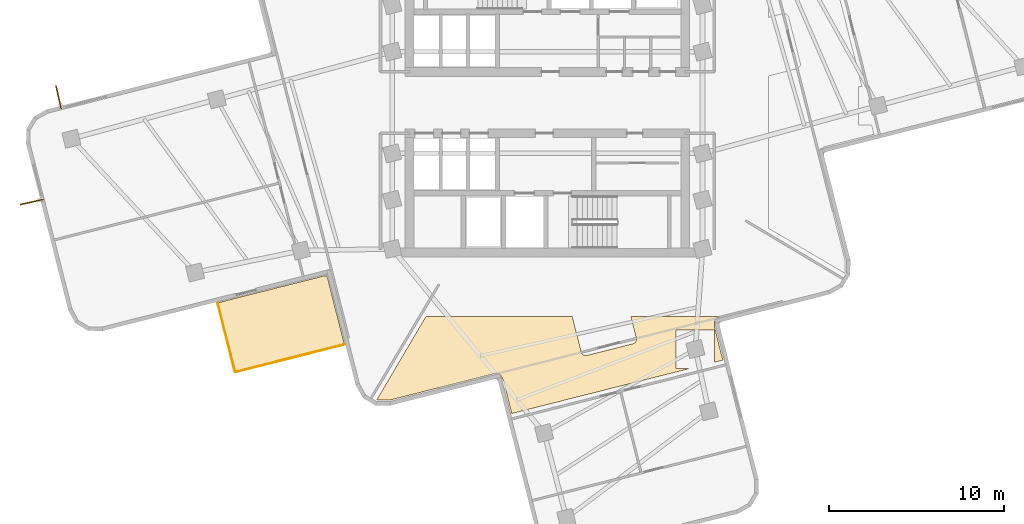
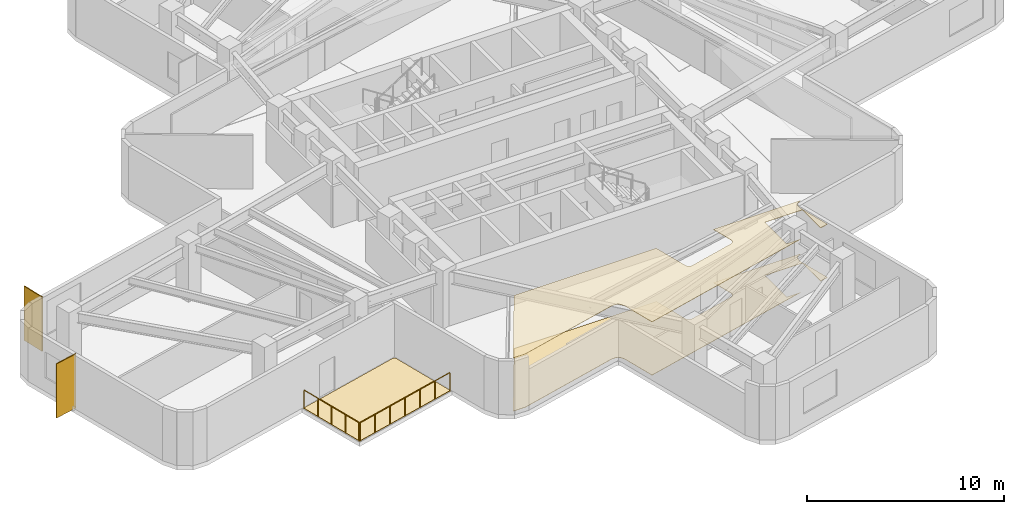
# One storey, part 7 of 9: 3 coverings, 2 railings, 2 shading devices.
"""IFC4 building model written with IfcOpenShell, lengths in metres."""

from ifc_helpers import new_model, si_unit, direction, frame, origin, origin_2d, place, context, subcontext, project, spatial, polyline, rectangle, circle, outline, extrude, material, layer, layer_set, type_object, element, save


model = new_model("IFC4")

# Units and contexts
model_context = context("Model", 3, precision=1e-05, world=origin(), true_north=direction((0.0, 1.0)))
body_context = subcontext(model_context, "Body", "Model", "MODEL_VIEW")
ifc_project = project(units=[si_unit("LENGTHUNIT", "METRE"), si_unit("AREAUNIT", "SQUARE_METRE"), si_unit("VOLUMEUNIT", "CUBIC_METRE"), si_unit("PLANEANGLEUNIT", "RADIAN"), si_unit("MASSUNIT", "GRAM", prefix="KILO")], contexts=[model_context])

# Site, building, storey
site_placement = place(None, origin())
site = spatial("IfcSite", under=ifc_project, at=site_placement, CompositionType="ELEMENT")
building_placement = place(site_placement, origin())
building = spatial("IfcBuilding", under=site, at=building_placement, Name="Solmarez Civic Tower", CompositionType="ELEMENT")
storey_placement = place(building_placement, frame((0.0, 0.0, 130.679931640625)))
storey = spatial("IfcBuildingStorey", under=building, at=storey_placement, Name="L34", CompositionType="ELEMENT", Elevation=130.679931640625)

# Coverings
ifc_material_1 = material(Name="Perforated Mineral-Fibre Acoustic Ceiling")
ifc_layer_1 = layer(ifc_material_1, 0.02490234375)
ifc_layer_set_1 = layer_set([ifc_layer_1], Name="Perforated Mineral-Fibre Acoustic Ceiling")
covering_type_1 = type_object("IfcCoveringType", Name="COV-CEIL-ACOUSTIC", PredefinedType="CEILING", material=ifc_layer_set_1)
covering_1_placement = place(storey_placement, frame((0.0, 0.0, 3.295166015625)))
element("IfcCovering", 1, at=covering_1_placement, inside=storey, type_object=covering_type_1, Name="L34 Suspended Acoustic Ceiling 2", PredefinedType="CEILING", context=body_context, shape_type="SweptSolid", body=[
    extrude(outline(polyline([(-2.720947265625, -15.530029296875), (-2.7041015625, -15.5400390625), (-2.68896484375, -15.552001953125), (-2.674072265625, -15.56494140625), (-2.6689453125, -15.570068359375), (-2.656005859375, -15.5849609375), (-2.65087890625, -15.591064453125), (-2.64599609375, -15.596923828125), (-2.632080078125, -15.615966796875), (-2.6279296875, -15.6220703125), (-2.618896484375, -15.636962890625), (-2.534912109375, -15.7880859375), (-2.530029296875, -15.797119140625), (-2.527099609375, -15.802978515625), (-2.52392578125, -15.80908203125), (-2.51611328125, -15.826904296875), (-2.509033203125, -15.846923828125), (-2.507080078125, -15.85400390625), (-2.506103515625, -15.860107421875), (-2.031005859375, -17.739990234375), (8.15087890625, -15.1640625), (7.344970703125, -15.1640625), (7.344970703125, -12.964111328125), (9.544921875, -12.964111328125), (9.544921875, -14.81103515625), (10.010009765625, -14.694091796875), (9.533935546875, -12.81201171875), (9.530029296875, -12.79296875), (9.527099609375, -12.77197265625), (9.527099609375, -12.762939453125), (9.52490234375, -12.7529296875), (9.52490234375, -12.735107421875), (9.528076171875, -12.56494140625), (9.528076171875, -12.55908203125), (9.530029296875, -12.531982421875), (9.531005859375, -12.52392578125), (9.532958984375, -12.507080078125), (9.537109375, -12.490966796875), (9.5390625, -12.48388671875), (9.549072265625, -12.45703125), (9.552001953125, -12.449951171875), (9.554931640625, -12.443115234375), (9.56396484375, -12.425048828125), (9.573974609375, -12.407958984375), (9.577880859375, -12.402099609375), (9.58203125, -12.39599609375), (9.5869140625, -12.388916015625), (9.597900390625, -12.375), (9.610107421875, -12.361083984375), (9.614990234375, -12.35595703125), (9.6201171875, -12.35107421875), (9.635009765625, -12.337890625), (9.64111328125, -12.3330078125), (9.656982421875, -12.321044921875), (9.673095703125, -12.31103515625), (9.681884765625, -12.305908203125), (9.83203125, -12.221923828125), (9.841064453125, -12.217041015625), (9.846923828125, -12.214111328125), (9.85791015625, -12.208984375), (9.864990234375, -12.2060546875), (9.881103515625, -12.199951171875), (4.758056640625, -12.199951171875), (5.070068359375, -13.43701171875), (5.072021484375, -13.443115234375), (5.073974609375, -13.451904296875), (5.077880859375, -13.47607421875), (5.0791015625, -13.5), (5.0791015625, -13.5048828125), (5.077880859375, -13.527099609375), (5.076904296875, -13.531982421875), (5.076904296875, -13.5380859375), (5.072998046875, -13.56103515625), (5.06689453125, -13.5830078125), (5.05908203125, -13.60400390625), (5.055908203125, -13.611083984375), (5.0458984375, -13.633056640625), (5.033935546875, -13.653076171875), (5.01904296875, -13.672119140625), (5.012939453125, -13.678955078125), (5.001953125, -13.69189453125), (4.9951171875, -13.698974609375), (4.970947265625, -13.718994140625), (4.967041015625, -13.721923828125), (4.946044921875, -13.736083984375), (4.924072265625, -13.7470703125), (4.9150390625, -13.7509765625), (4.89306640625, -13.760009765625), (4.875, -13.763916015625), (2.258056640625, -14.426025390625), (2.2470703125, -14.428955078125), (2.241943359375, -14.429931640625), (2.222900390625, -14.43310546875), (2.214111328125, -14.43408203125), (2.19091796875, -14.43505859375), (2.16796875, -14.43408203125), (2.157958984375, -14.43310546875), (2.135009765625, -14.428955078125), (2.112060546875, -14.423095703125), (2.091064453125, -14.4150390625), (2.083984375, -14.412109375), (2.06201171875, -14.402099609375), (2.0419921875, -14.389892578125), (2.02294921875, -14.375), (2.01708984375, -14.3701171875), (2.007080078125, -14.362060546875), (1.991943359375, -14.346923828125), (1.97900390625, -14.3310546875), (1.972900390625, -14.322998046875), (1.958984375, -14.302001953125), (1.947998046875, -14.280029296875), (1.944091796875, -14.27099609375), (1.93505859375, -14.2490234375), (1.930908203125, -14.23095703125), (1.4169921875, -12.199951171875), (-6.927001953125, -12.199951171875), (-9.735107421875, -16.968017578125), (-9.72900390625, -16.971923828125), (-9.02099609375, -16.98193359375), (-3.1259765625, -15.489990234375), (-3.10791015625, -15.486083984375), (-3.10205078125, -15.485107421875), (-3.096923828125, -15.48388671875), (-3.090087890625, -15.48291015625), (-3.05908203125, -15.48095703125), (-3.049072265625, -15.48095703125), (-2.876953125, -15.48291015625), (-2.85302734375, -15.485107421875), (-2.841064453125, -15.486083984375), (-2.833984375, -15.487060546875), (-2.81201171875, -15.491943359375), (-2.803955078125, -15.493896484375), (-2.787109375, -15.4990234375), (-2.77001953125, -15.5048828125), (-2.762939453125, -15.508056640625), (-2.756103515625, -15.510986328125), (-2.738037109375, -15.52001953125), (-2.720947265625, -15.530029296875)])), origin(), (0.0, 0.0, 1.0), 0.02490234375),
])
ifc_material_2 = material(Name="Polished Tropical Stone Terrazzo Flooring", Category="masonry")
ifc_layer_2 = layer(ifc_material_2, 0.02001953125)
ifc_layer_set_2 = layer_set([ifc_layer_2], Name="Polished Tropical Stone Terrazzo Flooring")
covering_type_2 = type_object("IfcCoveringType", Name="COV-FLOOR-TERRAZZO", PredefinedType="FLOORING", material=ifc_layer_set_2)
covering_2_placement = place(storey_placement, origin())
element("IfcCovering", 2, at=covering_2_placement, inside=storey, type_object=covering_type_2, Name="L34 Terrazzo Floor Finish 2", PredefinedType="FLOORING", context=body_context, shape_type="SweptSolid", body=[
    extrude(outline(polyline([(-2.720947265625, -15.530029296875), (-2.7041015625, -15.5400390625), (-2.68896484375, -15.552001953125), (-2.674072265625, -15.56494140625), (-2.6689453125, -15.570068359375), (-2.656005859375, -15.5849609375), (-2.65087890625, -15.591064453125), (-2.64599609375, -15.596923828125), (-2.632080078125, -15.615966796875), (-2.6279296875, -15.6220703125), (-2.618896484375, -15.636962890625), (-2.534912109375, -15.7880859375), (-2.530029296875, -15.797119140625), (-2.527099609375, -15.802978515625), (-2.52392578125, -15.80908203125), (-2.51611328125, -15.826904296875), (-2.509033203125, -15.846923828125), (-2.507080078125, -15.85400390625), (-2.506103515625, -15.860107421875), (-2.031005859375, -17.739990234375), (8.15087890625, -15.1640625), (7.344970703125, -15.1640625), (7.344970703125, -12.964111328125), (9.544921875, -12.964111328125), (9.544921875, -14.81103515625), (10.010009765625, -14.694091796875), (9.533935546875, -12.81201171875), (9.530029296875, -12.79296875), (9.527099609375, -12.77197265625), (9.527099609375, -12.762939453125), (9.52490234375, -12.7529296875), (9.52490234375, -12.735107421875), (9.528076171875, -12.56494140625), (9.528076171875, -12.55908203125), (9.530029296875, -12.531982421875), (9.531005859375, -12.52392578125), (9.532958984375, -12.507080078125), (9.537109375, -12.490966796875), (9.5390625, -12.48388671875), (9.549072265625, -12.45703125), (9.552001953125, -12.449951171875), (9.554931640625, -12.443115234375), (9.56396484375, -12.425048828125), (9.573974609375, -12.407958984375), (9.577880859375, -12.402099609375), (9.58203125, -12.39599609375), (9.5869140625, -12.388916015625), (9.597900390625, -12.375), (9.610107421875, -12.361083984375), (9.614990234375, -12.35595703125), (9.6201171875, -12.35107421875), (9.635009765625, -12.337890625), (9.64111328125, -12.3330078125), (9.656982421875, -12.321044921875), (9.673095703125, -12.31103515625), (9.681884765625, -12.305908203125), (9.83203125, -12.221923828125), (9.841064453125, -12.217041015625), (9.846923828125, -12.214111328125), (9.85791015625, -12.208984375), (9.864990234375, -12.2060546875), (9.881103515625, -12.199951171875), (4.758056640625, -12.199951171875), (5.070068359375, -13.43701171875), (5.072021484375, -13.443115234375), (5.073974609375, -13.451904296875), (5.077880859375, -13.47607421875), (5.0791015625, -13.5), (5.0791015625, -13.5048828125), (5.077880859375, -13.527099609375), (5.076904296875, -13.531982421875), (5.076904296875, -13.5380859375), (5.072998046875, -13.56103515625), (5.06689453125, -13.5830078125), (5.05908203125, -13.60400390625), (5.055908203125, -13.611083984375), (5.0458984375, -13.633056640625), (5.033935546875, -13.653076171875), (5.01904296875, -13.672119140625), (5.012939453125, -13.678955078125), (5.001953125, -13.69189453125), (4.9951171875, -13.698974609375), (4.970947265625, -13.718994140625), (4.967041015625, -13.721923828125), (4.946044921875, -13.736083984375), (4.924072265625, -13.7470703125), (4.9150390625, -13.7509765625), (4.89306640625, -13.760009765625), (4.875, -13.763916015625), (2.258056640625, -14.426025390625), (2.2470703125, -14.428955078125), (2.241943359375, -14.429931640625), (2.222900390625, -14.43310546875), (2.214111328125, -14.43408203125), (2.19091796875, -14.43505859375), (2.16796875, -14.43408203125), (2.157958984375, -14.43310546875), (2.135009765625, -14.428955078125), (2.112060546875, -14.423095703125), (2.091064453125, -14.4150390625), (2.083984375, -14.412109375), (2.06201171875, -14.402099609375), (2.0419921875, -14.389892578125), (2.02294921875, -14.375), (2.01708984375, -14.3701171875), (2.007080078125, -14.362060546875), (1.991943359375, -14.346923828125), (1.97900390625, -14.3310546875), (1.972900390625, -14.322998046875), (1.958984375, -14.302001953125), (1.947998046875, -14.280029296875), (1.944091796875, -14.27099609375), (1.93505859375, -14.2490234375), (1.930908203125, -14.23095703125), (1.4169921875, -12.199951171875), (-6.927001953125, -12.199951171875), (-9.735107421875, -16.968017578125), (-9.72900390625, -16.971923828125), (-9.02099609375, -16.98193359375), (-3.1259765625, -15.489990234375), (-3.10791015625, -15.486083984375), (-3.10205078125, -15.485107421875), (-3.096923828125, -15.48388671875), (-3.090087890625, -15.48291015625), (-3.05908203125, -15.48095703125), (-3.049072265625, -15.48095703125), (-2.876953125, -15.48291015625), (-2.85302734375, -15.485107421875), (-2.841064453125, -15.486083984375), (-2.833984375, -15.487060546875), (-2.81201171875, -15.491943359375), (-2.803955078125, -15.493896484375), (-2.787109375, -15.4990234375), (-2.77001953125, -15.5048828125), (-2.762939453125, -15.508056640625), (-2.756103515625, -15.510986328125), (-2.738037109375, -15.52001953125), (-2.720947265625, -15.530029296875)])), origin(), (0.0, 0.0, 1.0), 0.02001953125),
])
ifc_material_3 = material(Name="Elastomeric Terrace Waterproofing Membrane")
ifc_layer_3 = layer(ifc_material_3, 0.030029296875)
ifc_layer_set_3 = layer_set([ifc_layer_3], Name="Elastomeric Terrace Waterproofing Membrane")
covering_type_3 = type_object("IfcCoveringType", Name="COV-MEMBRANE-ROOF", PredefinedType="ROOFING", material=ifc_layer_set_3)
covering_3_placement = place(storey_placement, origin())
element("IfcCovering", 3, at=covering_3_placement, inside=storey, type_object=covering_type_3, Name="L34 Balcony Waterproofing SW", PredefinedType="ROOFING", context=body_context, shape_type="SweptSolid", body=[
    extrude(outline(polyline([(-12.5419921875, -10.0009765625), (-12.60498046875, -9.888916015625), (-12.73193359375, -9.886962890625), (-18.81201171875, -11.425048828125), (-17.81201171875, -15.37890625), (-11.580078125, -13.802978515625), (-12.5419921875, -10.0009765625)])), origin(), (0.0, 0.0, 1.0), 0.030029296875),
])

# Shading devices
ifc_material_4 = material(Name="Bronze Anodised Aluminium EN AW-6063 T6", Category="aluminium")
ifc_layer_4 = layer(ifc_material_4, 0.06005859375)
ifc_layer_set_4 = layer_set([ifc_layer_4], Name="Bronze Anodised Aluminium EN AW-6063 T6")
shading_device_type = type_object("IfcShadingDeviceType", Name="FIN-BRONZE-Z34", PredefinedType="USERDEFINED", material=ifc_layer_set_4)
for number, where, z_axis, x_axis, name in (
    (4, (-29.422119140625, -5.675048828125, -0.0400390625), (0.0, 0.0, 1.0), (-0.975388521879, -0.220493154965, 0.0), "L34 Anodised Bronze Solar Fin FIN-L34-01"),
    (5, (-27.885986328125, 0.302978515625, -0.0400390625), (0.0, 0.0, 1.0), (-0.220510178672, 0.975384673399, 0.0), "L34 Anodised Bronze Solar Fin FIN-L34-02"),
):
    element("IfcShadingDevice", number, at=place(storey_placement, frame(where, z_axis=z_axis, x_axis=x_axis)), inside=storey, type_object=shading_device_type, Name=name, ObjectType="FIN", PredefinedType="USERDEFINED", context=body_context, shape_type="SweptSolid", body=[
        extrude(rectangle(XDim=1.35009765625, YDim=0.06005859375, at=origin_2d()), origin(), (0.0, 0.0, 1.0), 3.360107421875),
    ])

# Railings
ifc_material_5 = material(Name="Bronze Anodised Aluminium and Laminated Safety Glass Balustrade", Category="aluminium")
railing_type = type_object("IfcRailingType", Name="GUARD-TERR-1180", PredefinedType="BALUSTRADE", material=ifc_material_5)
railing_1_placement = place(storey_placement, frame((-18.802978515625, -11.458984375, 0.0)))
element("IfcRailing", 6, at=railing_1_placement, inside=storey, type_object=railing_type, Name="L34 Safety Balustrade GRD-BALC-L34-SW-1", PredefinedType="BALUSTRADE", context=body_context, shape_type="SweptSolid", body=[
    extrude(circle(Radius=0.02392578125, at=origin_2d()), frame((0.0, 0.0, 1.15576171875), z_axis=(0.24498563911, -0.969526707538, 0.0), x_axis=(0.969526707538, 0.24498563911, 0.0)), (0.0, 0.0, 1.0), 4.008056640625),
    extrude(circle(Radius=0.02099609375, at=origin_2d()), origin(), (0.0, 0.0, 1.0), 1.1318359375),
    extrude(circle(Radius=0.02099609375, at=origin_2d()), frame((0.24560546875, -0.971435546875, 0.0)), (0.0, 0.0, 1.0), 1.1318359375),
    extrude(circle(Radius=0.02099609375, at=origin_2d()), frame((0.490966796875, -1.94287109375, 0.0)), (0.0, 0.0, 1.0), 1.1318359375),
    extrude(circle(Radius=0.02099609375, at=origin_2d()), frame((0.736328125, -2.91455078125, 0.0)), (0.0, 0.0, 1.0), 1.1318359375),
    extrude(circle(Radius=0.02099609375, at=origin_2d()), frame((0.98193359375, -3.885986328125, 0.0)), (0.0, 0.0, 1.0), 1.1318359375),
])
railing_2_placement = place(storey_placement, frame((-17.778076171875, -15.3701171875, 0.0)))
element("IfcRailing", 7, at=railing_2_placement, inside=storey, type_object=railing_type, Name="L34 Safety Balustrade GRD-BALC-L34-SW-2", PredefinedType="BALUSTRADE", context=body_context, shape_type="SweptSolid", body=[
    extrude(circle(Radius=0.02392578125, at=origin_2d()), frame((0.0, 0.0, 1.15576171875), z_axis=(0.969506741759, 0.245064639809, 0.0), x_axis=(-0.245064639809, 0.969506741759, 0.0)), (0.0, 0.0, 1.0), 6.35791015625),
    extrude(circle(Radius=0.02099609375, at=origin_2d()), origin(), (0.0, 0.0, 1.0), 1.1318359375),
    extrude(circle(Radius=0.02099609375, at=origin_2d()), frame((1.02734375, 0.259765625, 0.0)), (0.0, 0.0, 1.0), 1.1318359375),
    extrude(circle(Radius=0.02099609375, at=origin_2d()), frame((2.0546875, 0.519287109375, 0.0)), (0.0, 0.0, 1.0), 1.1318359375),
    extrude(circle(Radius=0.02099609375, at=origin_2d()), frame((3.08203125, 0.779052734375, 0.0)), (0.0, 0.0, 1.0), 1.1318359375),
    extrude(circle(Radius=0.02099609375, at=origin_2d()), frame((4.109375, 1.038818359375, 0.0)), (0.0, 0.0, 1.0), 1.1318359375),
    extrude(circle(Radius=0.02099609375, at=origin_2d()), frame((5.13671875, 1.29833984375, 0.0)), (0.0, 0.0, 1.0), 1.1318359375),
    extrude(circle(Radius=0.02099609375, at=origin_2d()), frame((6.1640625, 1.55810546875, 0.0)), (0.0, 0.0, 1.0), 1.1318359375),
])

save(model, "model.ifc")
